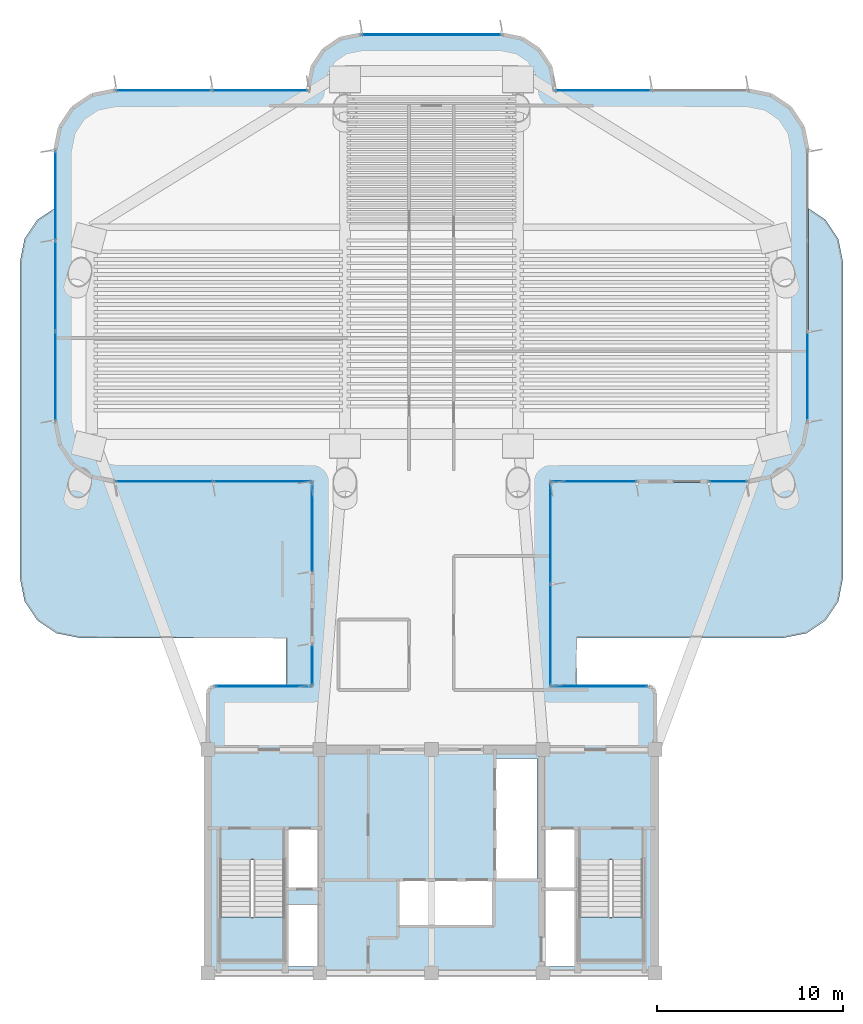
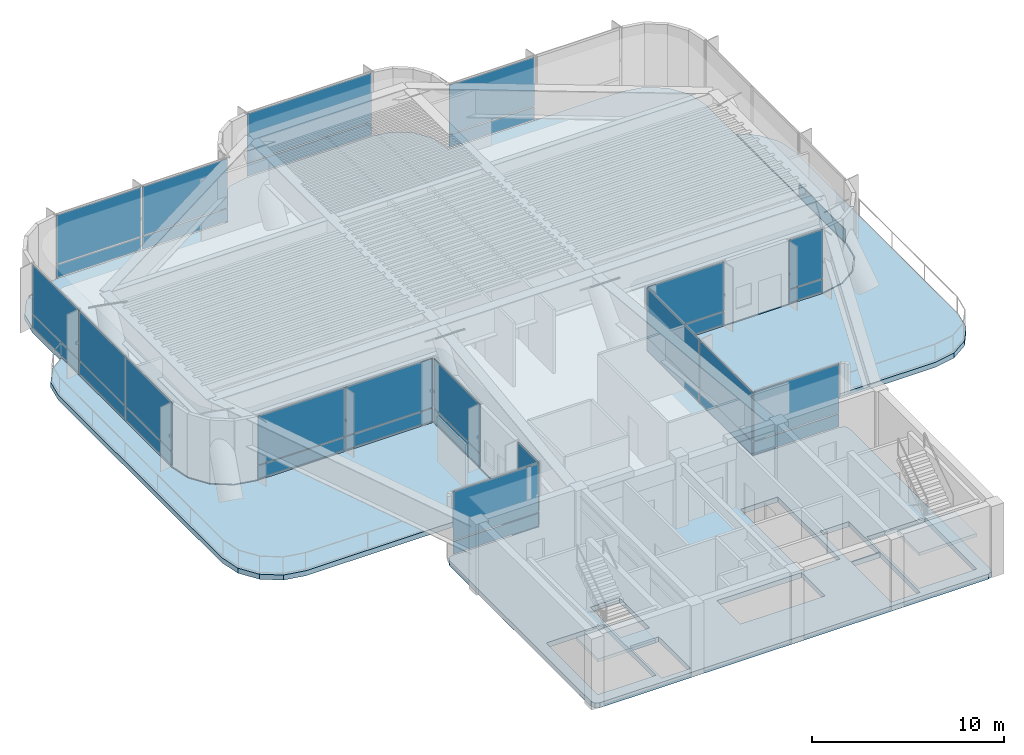
# One storey, part 7 of 13: 35 plates, 5 slabs, 15 elements without a shape of their own.
"""IFC4 building model written with IfcOpenShell, lengths in metres."""

from ifc_helpers import new_model, si_unit, direction, frame, origin, origin_2d, place, context, subcontext, project, spatial, polyline, rectangle, outline, extrude, source, transform, mapped, material, layer, layer_set, type_object, element, aggregate, save


model = new_model("IFC4")

# Units and contexts
model_context = context("Model", 3, precision=1e-05, world=origin(), true_north=direction((0.0, 1.0)))
body_context = subcontext(model_context, "Body", "Model", "MODEL_VIEW")
ifc_project = project(units=[si_unit("LENGTHUNIT", "METRE"), si_unit("AREAUNIT", "SQUARE_METRE"), si_unit("VOLUMEUNIT", "CUBIC_METRE"), si_unit("PLANEANGLEUNIT", "RADIAN"), si_unit("MASSUNIT", "GRAM", prefix="KILO")], contexts=[model_context])

# Site, building, storey
site_placement = place(None, origin())
site = spatial("IfcSite", under=ifc_project, at=site_placement, CompositionType="ELEMENT")
building_placement = place(site_placement, origin())
building = spatial("IfcBuilding", under=site, at=building_placement, Name="Brelvock Crest Care Tower", CompositionType="ELEMENT")
storey_placement = place(building_placement, frame((0.0, 0.0, 151.919921875)))
storey = spatial("IfcBuildingStorey", under=building, at=storey_placement, Name="L38", CompositionType="ELEMENT", Elevation=151.919921875)

# Slabs
ifc_material_1 = material(Name="Concrete N50 (50 MPa)", Category="concrete")
ifc_layer_1 = layer(ifc_material_1, 0.320068359375, Name="SLB-FL1")
ifc_layer_set_1 = layer_set([ifc_layer_1], Name="Concrete N50 (50 MPa)")
slab_type_1 = type_object("IfcSlabType", Name="SLB-FL1", PredefinedType="FLOOR", material=ifc_layer_set_1)
slab_1_placement = place(storey_placement, frame((0.0, 0.0, -0.31982421875)))
element("IfcSlab", 1, at=slab_1_placement, inside=storey, type_object=slab_type_1, Name="L38 Main Structural Slab", PredefinedType="FLOOR", context=body_context, shape_type="SweptSolid", body=[
    extrude(outline(polyline([(47.64990234375, 21.39990234375), (42.39990234375, 21.39990234375), (42.39990234375, 32.39990234375), (53.0, 32.39990234375), (54.224609375, 32.6435546875), (55.2626953125, 33.33740234375), (55.956298828125, 34.37548828125), (56.199951171875, 35.60009765625), (56.199951171875, 50.199951171875), (55.956298828125, 51.424560546875), (55.2626953125, 52.462646484375), (54.224609375, 53.156494140625), (53.0, 53.39990234375), (42.60009765625, 53.39990234375), (42.60009765625, 53.60009765625), (42.386962890625, 54.67138671875), (41.77978515625, 55.579833984375), (40.87158203125, 56.18701171875), (39.800048828125, 56.39990234375), (32.199951171875, 56.39990234375), (31.12841796875, 56.18701171875), (30.22021484375, 55.579833984375), (29.613037109375, 54.67138671875), (29.39990234375, 53.60009765625), (29.39990234375, 53.39990234375), (19.0, 53.39990234375), (17.775390625, 53.156494140625), (16.7373046875, 52.462646484375), (16.043701171875, 51.424560546875), (15.800048828125, 50.199951171875), (15.800048828125, 35.60009765625), (16.043701171875, 34.37548828125), (16.7373046875, 33.33740234375), (17.775390625, 32.6435546875), (19.0, 32.39990234375), (29.60009765625, 32.39990234375), (29.60009765625, 21.39990234375), (24.35009765625, 21.39990234375), (24.1025390625, 21.297607421875), (24.0, 21.050048828125), (24.0, 6.35009765625), (24.1025390625, 6.1025390625), (24.35009765625, 6.0), (47.64990234375, 6.0), (47.8974609375, 6.1025390625), (48.0, 6.35009765625), (48.0, 21.050048828125), (47.8974609375, 21.297607421875), (47.64990234375, 21.39990234375)]), holes=[polyline([(28.239990234375, 10.580078125), (29.97998046875, 10.580078125), (29.97998046875, 13.739990234375), (28.239990234375, 13.739990234375), (28.239990234375, 10.580078125)]), polyline([(42.02001953125, 10.580078125), (43.760009765625, 10.580078125), (43.760009765625, 13.739990234375), (42.02001953125, 13.739990234375), (42.02001953125, 10.580078125)]), polyline([(28.239990234375, 6.340087890625), (29.97998046875, 6.340087890625), (29.97998046875, 9.64990234375), (28.239990234375, 9.64990234375), (28.239990234375, 6.340087890625)]), polyline([(24.6298828125, 12.080078125), (24.6298828125, 6.699951171875), (28.110107421875, 6.699951171875), (28.110107421875, 12.080078125), (24.6298828125, 12.080078125)]), polyline([(43.889892578125, 12.080078125), (43.889892578125, 6.699951171875), (47.3701171875, 6.699951171875), (47.3701171875, 12.080078125), (43.889892578125, 12.080078125)]), polyline([(42.02001953125, 6.340087890625), (43.760009765625, 6.340087890625), (43.760009765625, 10.5), (42.02001953125, 10.5), (42.02001953125, 6.340087890625)]), polyline([(34.22998046875, 8.530029296875), (39.320068359375, 8.530029296875), (39.320068359375, 10.969970703125), (34.22998046875, 10.969970703125), (34.22998046875, 8.530029296875)]), polyline([(39.429931640625, 11.030029296875), (41.669921875, 11.030029296875), (41.669921875, 17.52001953125), (39.429931640625, 17.52001953125), (39.429931640625, 11.030029296875)])]), origin(), (0.0, 0.0, 1.0), 0.31982421875),
])
ifc_layer_2 = layer(ifc_material_1, 0.320068359375, Name="SLB-TD2")
ifc_layer_set_2 = layer_set([ifc_layer_2], Name="Concrete N50 (50 MPa)")
slab_type_2 = type_object("IfcSlabType", Name="SLB-TD2", PredefinedType="FLOOR", material=ifc_layer_set_2)
slab_2_placement = place(storey_placement, frame((0.0, 0.0, -0.31982421875)))
element("IfcSlab", 2, at=slab_2_placement, inside=storey, type_object=slab_type_2, Name="L38 Landscaped Setback Terrace 1", PredefinedType="FLOOR", context=body_context, shape_type="SweptSolid", body=[
    extrude(outline(polyline([(56.260009765625, 47.06591796875), (56.259765625, 35.593994140625), (56.01171875, 34.352294921875), (55.30517578125, 33.294921875), (54.24755859375, 32.588134765625), (53.005859375, 32.34033203125), (42.4599609375, 32.340087890625), (42.4599609375, 21.4599609375), (43.800048828125, 21.4599609375), (43.800048828125, 24.0), (54.89990234375, 24.0), (56.12451171875, 24.24365234375), (57.16259765625, 24.937255859375), (57.8564453125, 25.975341796875), (58.10009765625, 27.199951171875), (58.10009765625, 44.199951171875), (57.8564453125, 45.424560546875), (57.16259765625, 46.462646484375), (56.260009765625, 47.06591796875)])), origin(), (0.0, 0.0, 1.0), 0.31982421875),
])
slab_3_placement = place(storey_placement, frame((0.0, 0.0, -0.31982421875)))
element("IfcSlab", 3, at=slab_3_placement, inside=storey, type_object=slab_type_2, Name="L38 Landscaped Setback Terrace 2", PredefinedType="FLOOR", context=body_context, shape_type="SweptSolid", body=[
    extrude(outline(polyline([(28.199951171875, 21.4599609375), (29.5400390625, 21.4599609375), (29.5400390625, 32.340087890625), (18.994140625, 32.34033203125), (17.7421875, 32.59375), (16.69482421875, 33.294921875), (15.99072265625, 34.34716796875), (15.739990234375, 35.60009765625), (15.739990234375, 47.06591796875), (14.83740234375, 46.462646484375), (14.1435546875, 45.424560546875), (13.89990234375, 44.199951171875), (13.89990234375, 27.199951171875), (14.1435546875, 25.975341796875), (14.83740234375, 24.937255859375), (15.87548828125, 24.24365234375), (17.10009765625, 24.0), (28.199951171875, 24.0), (28.199951171875, 21.4599609375)])), origin(), (0.0, 0.0, 1.0), 0.31982421875),
])

# Stair, slab
ifc_material_2 = material(Name="Concrete N40 (40 MPa)", Category="concrete")
stair_type = type_object("IfcStairType", Name="ST-CORE1", PredefinedType="HALF_TURN_STAIR", material=ifc_material_2)
stair_1_placement = place(storey_placement, origin())
stair_1 = element("IfcStair", 4, at=stair_1_placement, inside=storey, type_object=stair_type, Name="L38 Fire-Isolated Core Stair ST-1", PredefinedType="HALF_TURN_STAIR")
ifc_layer_3 = layer(ifc_material_2, 0.199951171875, Name="STL-1")
ifc_layer_set_3 = layer_set([ifc_layer_3], Name="Concrete N40 (40 MPa)")
slab_type_3 = type_object("IfcSlabType", Name="STL-1", PredefinedType="LANDING", material=ifc_layer_set_3)
slab_4_placement = place(storey_placement, frame((0.0, 0.0, 2.050048828125)))
slab_4 = element("IfcSlab", 5, at=slab_4_placement, type_object=slab_type_3, Name="ST-1 landing 1", PredefinedType="LANDING", context=body_context, shape_type="SweptSolid", body=[
    extrude(outline(polyline([(24.6298828125, 9.0), (24.6298828125, 6.699951171875), (28.110107421875, 6.699951171875), (28.110107421875, 9.0), (24.6298828125, 9.0)])), origin(), (0.0, 0.0, 1.0), 0.199951171875),
])
aggregate(stair_1, [slab_4])

stair_2_placement = place(storey_placement, origin())
stair_2 = element("IfcStair", 6, at=stair_2_placement, inside=storey, type_object=stair_type, Name="L38 Fire-Isolated Core Stair ST-2", PredefinedType="HALF_TURN_STAIR")
slab_5_placement = place(storey_placement, frame((0.0, 0.0, 2.050048828125)))
slab_5 = element("IfcSlab", 7, at=slab_5_placement, type_object=slab_type_3, Name="ST-2 landing 1", PredefinedType="LANDING", context=body_context, shape_type="SweptSolid", body=[
    extrude(outline(polyline([(43.889892578125, 9.0), (43.889892578125, 6.699951171875), (47.3701171875, 6.699951171875), (47.3701171875, 9.0), (43.889892578125, 9.0)])), origin(), (0.0, 0.0, 1.0), 0.199951171875),
])
aggregate(stair_2, [slab_5])

# Curtain wall, plates
ifc_material_3 = material(Name="Dark Glass Double Glazed Low-E", Category="glass")
ifc_layer_4 = layer(ifc_material_3, 0.2548828125, Name="CWS-6")
ifc_layer_set_4 = layer_set([ifc_layer_4], Name="Dark Glass Double Glazed Low-E")
curtain_wall_type = type_object("IfcCurtainWallType", Name="CWS-6", PredefinedType="NOTDEFINED", material=ifc_layer_set_4)
curtain_wall_1_placement = place(storey_placement, origin())
curtain_wall_1 = element("IfcCurtainWall", 8, at=curtain_wall_1_placement, inside=storey, type_object=curtain_wall_type, Name="L38 Curtain Wall E28", PredefinedType="NOTDEFINED")
ifc_material_4 = material(Name="Dark Glass Shadow-Box Spandrel", Category="glass")
ifc_layer_5 = layer(ifc_material_4, 0.048095703125, Name="CWP-SP1")
ifc_layer_set_5 = layer_set([ifc_layer_5], Name="Dark Glass Shadow-Box Spandrel")
plate_type_1 = type_object("IfcPlateType", Name="CWP-SP1", PredefinedType="SHEET", material=ifc_layer_set_5)
shared_shape_1 = source(origin(), body_context, "Body", "SweptSolid", [
    extrude(rectangle(XDim=7.469970703125, YDim=0.035888671875, at=origin_2d()), origin(), (0.0, 0.0, 1.0), 0.802490234375),
])
plate_1_placement = place(storey_placement, frame((36.0, 56.39990234375, 0.06494140625), z_axis=(0.0, 0.0, 1.0), x_axis=(1.0, 0.0, 0.0)))
plate_1 = element("IfcPlate", 9, at=plate_1_placement, type_object=plate_type_1, Name="CW-6 panel 1.1", PredefinedType="SHEET", context=body_context, shape_type="MappedRepresentation", body=[
    mapped(shared_shape_1, transform((0.0, 0.0, 0.0), x_axis=(1.0, 0.0, 0.0), y_axis=(0.0, 1.0, 0.0), z_axis=(0.0, 0.0, 1.0), scale=1.0)),
])
ifc_layer_6 = layer(ifc_material_3, 0.0380859375, Name="CWP-V2")
ifc_layer_set_6 = layer_set([ifc_layer_6], Name="Dark Glass Double Glazed Low-E")
plate_type_2 = type_object("IfcPlateType", Name="CWP-V2", PredefinedType="CURTAIN_PANEL", material=ifc_layer_set_6)
shared_shape_2 = source(origin(), body_context, "Body", "SweptSolid", [
    extrude(rectangle(XDim=7.469970703125, YDim=0.035888671875, at=origin_2d()), origin(), (0.0, 0.0, 1.0), 3.094482421875),
])
plate_2_placement = place(storey_placement, frame((36.0, 56.39990234375, 0.9326171875), z_axis=(0.0, 0.0, 1.0), x_axis=(1.0, 0.0, 0.0)))
plate_2 = element("IfcPlate", 10, at=plate_2_placement, type_object=plate_type_2, Name="CW-6 panel 1.2", PredefinedType="CURTAIN_PANEL", context=body_context, shape_type="MappedRepresentation", body=[
    mapped(shared_shape_2, transform((0.0, 0.0, 0.0), x_axis=(1.0, 0.0, 0.0), y_axis=(0.0, 1.0, 0.0), z_axis=(0.0, 0.0, 1.0), scale=1.0)),
])
aggregate(curtain_wall_1, [plate_1, plate_2])

# Curtain wall, plate
curtain_wall_2_placement = place(storey_placement, origin())
curtain_wall_2 = element("IfcCurtainWall", 11, at=curtain_wall_2_placement, inside=storey, type_object=curtain_wall_type, Name="L38 Curtain Wall E10", PredefinedType="NOTDEFINED")
shared_shape_3 = source(origin(), body_context, "Body", "SweptSolid", [
    extrude(rectangle(XDim=5.1201171875, YDim=0.035888671875, at=origin_2d()), origin(), (0.0, 0.0, 1.0), 0.802490234375),
])
plate_3_placement = place(storey_placement, frame((26.97509765625, 21.39990234375, 0.06494140625), z_axis=(0.0, 0.0, 1.0), x_axis=(1.0, 0.0, 0.0)))
plate_3 = element("IfcPlate", 12, at=plate_3_placement, type_object=plate_type_1, Name="CW-6 panel 1.1", PredefinedType="SHEET", context=body_context, shape_type="MappedRepresentation", body=[
    mapped(shared_shape_3, transform((0.0, 0.0, 0.0), x_axis=(1.0, 0.0, 0.0), y_axis=(0.0, 1.0, 0.0), z_axis=(0.0, 0.0, 1.0), scale=1.0)),
])

curtain_wall_3_placement = place(storey_placement, origin())
curtain_wall_3 = element("IfcCurtainWall", 13, at=curtain_wall_3_placement, inside=storey, type_object=curtain_wall_type, Name="L38 Curtain Wall E46", PredefinedType="NOTDEFINED")
plate_4_placement = place(storey_placement, frame((45.02490234375, 21.39990234375, 0.06494140625), z_axis=(0.0, 0.0, 1.0), x_axis=(1.0, 0.0, 0.0)))
plate_4 = element("IfcPlate", 14, at=plate_4_placement, type_object=plate_type_1, Name="CW-6 panel 1.1", PredefinedType="SHEET", context=body_context, shape_type="MappedRepresentation", body=[
    mapped(shared_shape_3, transform((0.0, 0.0, 0.0), x_axis=(1.0, 0.0, 0.0), y_axis=(0.0, 1.0, 0.0), z_axis=(0.0, 0.0, 1.0), scale=1.0)),
])

# Plate
shared_shape_4 = source(origin(), body_context, "Body", "SweptSolid", [
    extrude(rectangle(XDim=5.1201171875, YDim=0.035888671875, at=origin_2d()), origin(), (0.0, 0.0, 1.0), 3.094482421875),
])
plate_5_placement = place(storey_placement, frame((26.97509765625, 21.39990234375, 0.9326171875), z_axis=(0.0, 0.0, 1.0), x_axis=(1.0, 0.0, 0.0)))
plate_5 = element("IfcPlate", 15, at=plate_5_placement, type_object=plate_type_2, Name="CW-6 panel 1.2", PredefinedType="CURTAIN_PANEL", context=body_context, shape_type="MappedRepresentation", body=[
    mapped(shared_shape_4, transform((0.0, 0.0, 0.0), x_axis=(1.0, 0.0, 0.0), y_axis=(0.0, 1.0, 0.0), z_axis=(0.0, 0.0, 1.0), scale=1.0)),
])

aggregate(curtain_wall_2, [plate_3, plate_5])

plate_6_placement = place(storey_placement, frame((45.02490234375, 21.39990234375, 0.9326171875), z_axis=(0.0, 0.0, 1.0), x_axis=(1.0, 0.0, 0.0)))
plate_6 = element("IfcPlate", 16, at=plate_6_placement, type_object=plate_type_2, Name="CW-6 panel 1.2", PredefinedType="CURTAIN_PANEL", context=body_context, shape_type="MappedRepresentation", body=[
    mapped(shared_shape_4, transform((0.0, 0.0, 0.0), x_axis=(1.0, 0.0, 0.0), y_axis=(0.0, 1.0, 0.0), z_axis=(0.0, 0.0, 1.0), scale=1.0)),
])

aggregate(curtain_wall_3, [plate_4, plate_6])

# Curtain wall, plates
curtain_wall_4_placement = place(storey_placement, origin())
curtain_wall_4 = element("IfcCurtainWall", 17, at=curtain_wall_4_placement, inside=storey, type_object=curtain_wall_type, Name="L38 Curtain Wall E11A", PredefinedType="NOTDEFINED")
shared_shape_5 = source(origin(), body_context, "Body", "SweptSolid", [
    extrude(rectangle(XDim=2.14990234375, YDim=0.035888671875, at=origin_2d()), origin(), (0.0, 0.0, 1.0), 0.802490234375),
])
plate_7_placement = place(storey_placement, frame((29.60009765625, 22.5400390625, 0.06494140625), z_axis=(0.0, 0.0, 1.0), x_axis=(0.0, 1.0, 0.0)))
plate_7 = element("IfcPlate", 18, at=plate_7_placement, type_object=plate_type_1, Name="CW-6 panel 1.1", PredefinedType="SHEET", context=body_context, shape_type="MappedRepresentation", body=[
    mapped(shared_shape_5, transform((0.0, 0.0, 0.0), x_axis=(1.0, 0.0, 0.0), y_axis=(0.0, 1.0, 0.0), z_axis=(0.0, 0.0, 1.0), scale=1.0)),
])
shared_shape_6 = source(origin(), body_context, "Body", "SweptSolid", [
    extrude(rectangle(XDim=2.14990234375, YDim=0.035888671875, at=origin_2d()), origin(), (0.0, 0.0, 1.0), 3.094482421875),
])
plate_8_placement = place(storey_placement, frame((29.60009765625, 22.5400390625, 0.9326171875), z_axis=(0.0, 0.0, 1.0), x_axis=(0.0, 1.0, 0.0)))
plate_8 = element("IfcPlate", 19, at=plate_8_placement, type_object=plate_type_2, Name="CW-6 panel 1.2", PredefinedType="CURTAIN_PANEL", context=body_context, shape_type="MappedRepresentation", body=[
    mapped(shared_shape_6, transform((0.0, 0.0, 0.0), x_axis=(1.0, 0.0, 0.0), y_axis=(0.0, 1.0, 0.0), z_axis=(0.0, 0.0, 1.0), scale=1.0)),
])
aggregate(curtain_wall_4, [plate_7, plate_8])

curtain_wall_5_placement = place(storey_placement, origin())
curtain_wall_5 = element("IfcCurtainWall", 20, at=curtain_wall_5_placement, inside=storey, type_object=curtain_wall_type, Name="L38 Curtain Wall E11B", PredefinedType="NOTDEFINED")
shared_shape_7 = source(origin(), body_context, "Body", "SweptSolid", [
    extrude(rectangle(XDim=4.7900390625, YDim=0.035888671875, at=origin_2d()), origin(), (0.0, 0.0, 1.0), 0.802490234375),
])
plate_9_placement = place(storey_placement, frame((29.60009765625, 29.93994140625, 0.06494140625), z_axis=(0.0, 0.0, 1.0), x_axis=(0.0, 1.0, 0.0)))
plate_9 = element("IfcPlate", 21, at=plate_9_placement, type_object=plate_type_1, Name="CW-6 panel 1.1", PredefinedType="SHEET", context=body_context, shape_type="MappedRepresentation", body=[
    mapped(shared_shape_7, transform((0.0, 0.0, 0.0), x_axis=(1.0, 0.0, 0.0), y_axis=(0.0, 1.0, 0.0), z_axis=(0.0, 0.0, 1.0), scale=1.0)),
])
shared_shape_8 = source(origin(), body_context, "Body", "SweptSolid", [
    extrude(rectangle(XDim=4.7900390625, YDim=0.035888671875, at=origin_2d()), origin(), (0.0, 0.0, 1.0), 3.094482421875),
])
plate_10_placement = place(storey_placement, frame((29.60009765625, 29.93994140625, 0.9326171875), z_axis=(0.0, 0.0, 1.0), x_axis=(0.0, 1.0, 0.0)))
plate_10 = element("IfcPlate", 22, at=plate_10_placement, type_object=plate_type_2, Name="CW-6 panel 1.2", PredefinedType="CURTAIN_PANEL", context=body_context, shape_type="MappedRepresentation", body=[
    mapped(shared_shape_8, transform((0.0, 0.0, 0.0), x_axis=(1.0, 0.0, 0.0), y_axis=(0.0, 1.0, 0.0), z_axis=(0.0, 0.0, 1.0), scale=1.0)),
])
aggregate(curtain_wall_5, [plate_9, plate_10])

curtain_wall_6_placement = place(storey_placement, origin())
curtain_wall_6 = element("IfcCurtainWall", 23, at=curtain_wall_6_placement, inside=storey, type_object=curtain_wall_type, Name="L38 Curtain Wall E12", PredefinedType="NOTDEFINED")
shared_shape_9 = source(origin(), body_context, "Body", "SweptSolid", [
    extrude(rectangle(XDim=5.202392578125, YDim=0.035888671875, at=origin_2d()), origin(), (0.0, 0.0, 1.0), 0.802490234375),
])
plate_11_placement = place(storey_placement, frame((26.933837890625, 32.39990234375, 0.06494140625), z_axis=(0.0, 0.0, 1.0), x_axis=(-1.0, 0.0, 0.0)))
plate_11 = element("IfcPlate", 24, at=plate_11_placement, type_object=plate_type_1, Name="CW-6 panel 1.1", PredefinedType="SHEET", context=body_context, shape_type="MappedRepresentation", body=[
    mapped(shared_shape_9, transform((0.0, 0.0, 0.0), x_axis=(1.0, 0.0, 0.0), y_axis=(0.0, 1.0, 0.0), z_axis=(0.0, 0.0, 1.0), scale=1.0)),
])
plate_12_placement = place(storey_placement, frame((21.666259765625, 32.39990234375, 0.06494140625), z_axis=(0.0, 0.0, 1.0), x_axis=(-1.0, 0.0, 0.0)))
plate_12 = element("IfcPlate", 25, at=plate_12_placement, type_object=plate_type_1, Name="CW-6 panel 2.1", PredefinedType="SHEET", context=body_context, shape_type="MappedRepresentation", body=[
    mapped(shared_shape_9, transform((0.0, 0.0, 0.0), x_axis=(1.0, 0.0, 0.0), y_axis=(0.0, 1.0, 0.0), z_axis=(0.0, 0.0, 1.0), scale=1.0)),
])
shared_shape_10 = source(origin(), body_context, "Body", "SweptSolid", [
    extrude(rectangle(XDim=5.202392578125, YDim=0.035888671875, at=origin_2d()), origin(), (0.0, 0.0, 1.0), 3.094482421875),
])
plate_13_placement = place(storey_placement, frame((26.933837890625, 32.39990234375, 0.9326171875), z_axis=(0.0, 0.0, 1.0), x_axis=(-1.0, 0.0, 0.0)))
plate_13 = element("IfcPlate", 26, at=plate_13_placement, type_object=plate_type_2, Name="CW-6 panel 1.2", PredefinedType="CURTAIN_PANEL", context=body_context, shape_type="MappedRepresentation", body=[
    mapped(shared_shape_10, transform((0.0, 0.0, 0.0), x_axis=(1.0, 0.0, 0.0), y_axis=(0.0, 1.0, 0.0), z_axis=(0.0, 0.0, 1.0), scale=1.0)),
])
plate_14_placement = place(storey_placement, frame((21.666259765625, 32.39990234375, 0.9326171875), z_axis=(0.0, 0.0, 1.0), x_axis=(-1.0, 0.0, 0.0)))
plate_14 = element("IfcPlate", 27, at=plate_14_placement, type_object=plate_type_2, Name="CW-6 panel 2.2", PredefinedType="CURTAIN_PANEL", context=body_context, shape_type="MappedRepresentation", body=[
    mapped(shared_shape_10, transform((0.0, 0.0, 0.0), x_axis=(1.0, 0.0, 0.0), y_axis=(0.0, 1.0, 0.0), z_axis=(0.0, 0.0, 1.0), scale=1.0)),
])
aggregate(curtain_wall_6, [plate_11, plate_13, plate_12, plate_14])

curtain_wall_7_placement = place(storey_placement, origin())
curtain_wall_7 = element("IfcCurtainWall", 28, at=curtain_wall_7_placement, inside=storey, type_object=curtain_wall_type, Name="L38 Curtain Wall E17", PredefinedType="NOTDEFINED")
shared_shape_11 = source(origin(), body_context, "Body", "SweptSolid", [
    extrude(rectangle(XDim=4.769287109375, YDim=0.035888671875, at=origin_2d()), origin(), (0.0, 0.0, 1.0), 0.802490234375),
])
plate_15_placement = place(storey_placement, frame((15.800048828125, 38.049560546875, 0.06494140625), z_axis=(0.0, 0.0, 1.0), x_axis=(0.0, 1.0, 0.0)))
plate_15 = element("IfcPlate", 29, at=plate_15_placement, type_object=plate_type_1, Name="CW-6 panel 1.1", PredefinedType="SHEET", context=body_context, shape_type="MappedRepresentation", body=[
    mapped(shared_shape_11, transform((0.0, 0.0, 0.0), x_axis=(1.0, 0.0, 0.0), y_axis=(0.0, 1.0, 0.0), z_axis=(0.0, 0.0, 1.0), scale=1.0)),
])
plate_16_placement = place(storey_placement, frame((15.800048828125, 47.75048828125, 0.06494140625), z_axis=(0.0, 0.0, 1.0), x_axis=(0.0, 1.0, 0.0)))
plate_16 = element("IfcPlate", 30, at=plate_16_placement, type_object=plate_type_1, Name="CW-6 panel 3.1", PredefinedType="SHEET", context=body_context, shape_type="MappedRepresentation", body=[
    mapped(shared_shape_11, transform((0.0, 0.0, 0.0), x_axis=(1.0, 0.0, 0.0), y_axis=(0.0, 1.0, 0.0), z_axis=(0.0, 0.0, 1.0), scale=1.0)),
])

# Curtain wall, plate
curtain_wall_8_placement = place(storey_placement, origin())
curtain_wall_8 = element("IfcCurtainWall", 31, at=curtain_wall_8_placement, inside=storey, type_object=curtain_wall_type, Name="L38 Curtain Wall E39", PredefinedType="NOTDEFINED")
plate_17_placement = place(storey_placement, frame((56.199951171875, 38.049560546875, 0.06494140625), z_axis=(0.0, 0.0, 1.0), x_axis=(0.0, -1.0, 0.0)))
plate_17 = element("IfcPlate", 32, at=plate_17_placement, type_object=plate_type_1, Name="CW-6 panel 3.1", PredefinedType="SHEET", context=body_context, shape_type="MappedRepresentation", body=[
    mapped(shared_shape_11, transform((0.0, 0.0, 0.0), x_axis=(1.0, 0.0, 0.0), y_axis=(0.0, 1.0, 0.0), z_axis=(0.0, 0.0, 1.0), scale=1.0)),
])
aggregate(curtain_wall_8, [plate_17])

# Plate
shared_shape_12 = source(origin(), body_context, "Body", "SweptSolid", [
    extrude(rectangle(XDim=4.769287109375, YDim=0.035888671875, at=origin_2d()), origin(), (0.0, 0.0, 1.0), 3.094482421875),
])
plate_18_placement = place(storey_placement, frame((15.800048828125, 38.049560546875, 0.9326171875), z_axis=(0.0, 0.0, 1.0), x_axis=(0.0, 1.0, 0.0)))
plate_18 = element("IfcPlate", 33, at=plate_18_placement, type_object=plate_type_2, Name="CW-6 panel 1.2", PredefinedType="CURTAIN_PANEL", context=body_context, shape_type="MappedRepresentation", body=[
    mapped(shared_shape_12, transform((0.0, 0.0, 0.0), x_axis=(1.0, 0.0, 0.0), y_axis=(0.0, 1.0, 0.0), z_axis=(0.0, 0.0, 1.0), scale=1.0)),
])

plate_19_placement = place(storey_placement, frame((15.800048828125, 47.75048828125, 0.9326171875), z_axis=(0.0, 0.0, 1.0), x_axis=(0.0, 1.0, 0.0)))
plate_19 = element("IfcPlate", 34, at=plate_19_placement, type_object=plate_type_2, Name="CW-6 panel 3.2", PredefinedType="CURTAIN_PANEL", context=body_context, shape_type="MappedRepresentation", body=[
    mapped(shared_shape_12, transform((0.0, 0.0, 0.0), x_axis=(1.0, 0.0, 0.0), y_axis=(0.0, 1.0, 0.0), z_axis=(0.0, 0.0, 1.0), scale=1.0)),
])

shared_shape_13 = source(origin(), body_context, "Body", "SweptSolid", [
    extrude(rectangle(XDim=4.8017578125, YDim=0.035888671875, at=origin_2d()), origin(), (0.0, 0.0, 1.0), 0.802490234375),
])
plate_20_placement = place(storey_placement, frame((15.800048828125, 42.89990234375, 0.06494140625), z_axis=(0.0, 0.0, 1.0), x_axis=(0.0, 1.0, 0.0)))
plate_20 = element("IfcPlate", 35, at=plate_20_placement, type_object=plate_type_1, Name="CW-6 panel 2.1", PredefinedType="SHEET", context=body_context, shape_type="MappedRepresentation", body=[
    mapped(shared_shape_13, transform((0.0, 0.0, 0.0), x_axis=(1.0, 0.0, 0.0), y_axis=(0.0, 1.0, 0.0), z_axis=(0.0, 0.0, 1.0), scale=1.0)),
])

shared_shape_14 = source(origin(), body_context, "Body", "SweptSolid", [
    extrude(rectangle(XDim=4.8017578125, YDim=0.035888671875, at=origin_2d()), origin(), (0.0, 0.0, 1.0), 3.094482421875),
])
plate_21_placement = place(storey_placement, frame((15.800048828125, 42.89990234375, 0.9326171875), z_axis=(0.0, 0.0, 1.0), x_axis=(0.0, 1.0, 0.0)))
plate_21 = element("IfcPlate", 36, at=plate_21_placement, type_object=plate_type_2, Name="CW-6 panel 2.2", PredefinedType="CURTAIN_PANEL", context=body_context, shape_type="MappedRepresentation", body=[
    mapped(shared_shape_14, transform((0.0, 0.0, 0.0), x_axis=(1.0, 0.0, 0.0), y_axis=(0.0, 1.0, 0.0), z_axis=(0.0, 0.0, 1.0), scale=1.0)),
])

aggregate(curtain_wall_7, [plate_15, plate_18, plate_20, plate_21, plate_16, plate_19])

# Curtain wall, plates
curtain_wall_9_placement = place(storey_placement, origin())
curtain_wall_9 = element("IfcCurtainWall", 37, at=curtain_wall_9_placement, inside=storey, type_object=curtain_wall_type, Name="L38 Curtain Wall E22", PredefinedType="NOTDEFINED")
shared_shape_15 = source(origin(), body_context, "Body", "SweptSolid", [
    extrude(rectangle(XDim=5.1025390625, YDim=0.035888671875, at=origin_2d()), origin(), (0.0, 0.0, 1.0), 0.802490234375),
])
plate_22_placement = place(storey_placement, frame((21.6162109375, 53.39990234375, 0.06494140625), z_axis=(0.0, 0.0, 1.0), x_axis=(1.0, 0.0, 0.0)))
plate_22 = element("IfcPlate", 38, at=plate_22_placement, type_object=plate_type_1, Name="CW-6 panel 1.1", PredefinedType="SHEET", context=body_context, shape_type="MappedRepresentation", body=[
    mapped(shared_shape_15, transform((0.0, 0.0, 0.0), x_axis=(1.0, 0.0, 0.0), y_axis=(0.0, 1.0, 0.0), z_axis=(0.0, 0.0, 1.0), scale=1.0)),
])
plate_23_placement = place(storey_placement, frame((26.78369140625, 53.39990234375, 0.06494140625), z_axis=(0.0, 0.0, 1.0), x_axis=(1.0, 0.0, 0.0)))
plate_23 = element("IfcPlate", 39, at=plate_23_placement, type_object=plate_type_1, Name="CW-6 panel 2.1", PredefinedType="SHEET", context=body_context, shape_type="MappedRepresentation", body=[
    mapped(shared_shape_15, transform((0.0, 0.0, 0.0), x_axis=(1.0, 0.0, 0.0), y_axis=(0.0, 1.0, 0.0), z_axis=(0.0, 0.0, 1.0), scale=1.0)),
])

# Curtain wall, plate
curtain_wall_10_placement = place(storey_placement, origin())
curtain_wall_10 = element("IfcCurtainWall", 40, at=curtain_wall_10_placement, inside=storey, type_object=curtain_wall_type, Name="L38 Curtain Wall E34", PredefinedType="NOTDEFINED")
plate_24_placement = place(storey_placement, frame((45.21630859375, 53.39990234375, 0.06494140625), z_axis=(0.0, 0.0, 1.0), x_axis=(1.0, 0.0, 0.0)))
plate_24 = element("IfcPlate", 41, at=plate_24_placement, type_object=plate_type_1, Name="CW-6 panel 1.1", PredefinedType="SHEET", context=body_context, shape_type="MappedRepresentation", body=[
    mapped(shared_shape_15, transform((0.0, 0.0, 0.0), x_axis=(1.0, 0.0, 0.0), y_axis=(0.0, 1.0, 0.0), z_axis=(0.0, 0.0, 1.0), scale=1.0)),
])

# Plate
shared_shape_16 = source(origin(), body_context, "Body", "SweptSolid", [
    extrude(rectangle(XDim=5.1025390625, YDim=0.035888671875, at=origin_2d()), origin(), (0.0, 0.0, 1.0), 3.094482421875),
])
plate_25_placement = place(storey_placement, frame((21.6162109375, 53.39990234375, 0.9326171875), z_axis=(0.0, 0.0, 1.0), x_axis=(1.0, 0.0, 0.0)))
plate_25 = element("IfcPlate", 42, at=plate_25_placement, type_object=plate_type_2, Name="CW-6 panel 1.2", PredefinedType="CURTAIN_PANEL", context=body_context, shape_type="MappedRepresentation", body=[
    mapped(shared_shape_16, transform((0.0, 0.0, 0.0), x_axis=(1.0, 0.0, 0.0), y_axis=(0.0, 1.0, 0.0), z_axis=(0.0, 0.0, 1.0), scale=1.0)),
])

plate_26_placement = place(storey_placement, frame((26.78369140625, 53.39990234375, 0.9326171875), z_axis=(0.0, 0.0, 1.0), x_axis=(1.0, 0.0, 0.0)))
plate_26 = element("IfcPlate", 43, at=plate_26_placement, type_object=plate_type_2, Name="CW-6 panel 2.2", PredefinedType="CURTAIN_PANEL", context=body_context, shape_type="MappedRepresentation", body=[
    mapped(shared_shape_16, transform((0.0, 0.0, 0.0), x_axis=(1.0, 0.0, 0.0), y_axis=(0.0, 1.0, 0.0), z_axis=(0.0, 0.0, 1.0), scale=1.0)),
])

aggregate(curtain_wall_9, [plate_22, plate_25, plate_23, plate_26])

plate_27_placement = place(storey_placement, frame((45.21630859375, 53.39990234375, 0.9326171875), z_axis=(0.0, 0.0, 1.0), x_axis=(1.0, 0.0, 0.0)))
plate_27 = element("IfcPlate", 44, at=plate_27_placement, type_object=plate_type_2, Name="CW-6 panel 1.2", PredefinedType="CURTAIN_PANEL", context=body_context, shape_type="MappedRepresentation", body=[
    mapped(shared_shape_16, transform((0.0, 0.0, 0.0), x_axis=(1.0, 0.0, 0.0), y_axis=(0.0, 1.0, 0.0), z_axis=(0.0, 0.0, 1.0), scale=1.0)),
])

aggregate(curtain_wall_10, [plate_24, plate_27])

# Curtain wall, plates
curtain_wall_11_placement = place(storey_placement, origin())
curtain_wall_11 = element("IfcCurtainWall", 45, at=curtain_wall_11_placement, inside=storey, type_object=curtain_wall_type, Name="L38 Curtain Wall E44A", PredefinedType="NOTDEFINED")
shared_shape_17 = source(origin(), body_context, "Body", "SweptSolid", [
    extrude(rectangle(XDim=1.998046875, YDim=0.035888671875, at=origin_2d()), origin(), (0.0, 0.0, 1.0), 0.802490234375),
])
plate_28_placement = place(storey_placement, frame((51.93603515625, 32.39990234375, 0.06494140625), z_axis=(0.0, 0.0, 1.0), x_axis=(-1.0, 0.0, 0.0)))
plate_28 = element("IfcPlate", 46, at=plate_28_placement, type_object=plate_type_1, Name="CW-6 panel 1.1", PredefinedType="SHEET", context=body_context, shape_type="MappedRepresentation", body=[
    mapped(shared_shape_17, transform((0.0, 0.0, 0.0), x_axis=(1.0, 0.0, 0.0), y_axis=(0.0, 1.0, 0.0), z_axis=(0.0, 0.0, 1.0), scale=1.0)),
])
shared_shape_18 = source(origin(), body_context, "Body", "SweptSolid", [
    extrude(rectangle(XDim=1.998046875, YDim=0.035888671875, at=origin_2d()), origin(), (0.0, 0.0, 1.0), 3.094482421875),
])
plate_29_placement = place(storey_placement, frame((51.93603515625, 32.39990234375, 0.9326171875), z_axis=(0.0, 0.0, 1.0), x_axis=(-1.0, 0.0, 0.0)))
plate_29 = element("IfcPlate", 47, at=plate_29_placement, type_object=plate_type_2, Name="CW-6 panel 1.2", PredefinedType="CURTAIN_PANEL", context=body_context, shape_type="MappedRepresentation", body=[
    mapped(shared_shape_18, transform((0.0, 0.0, 0.0), x_axis=(1.0, 0.0, 0.0), y_axis=(0.0, 1.0, 0.0), z_axis=(0.0, 0.0, 1.0), scale=1.0)),
])
aggregate(curtain_wall_11, [plate_28, plate_29])

curtain_wall_12_placement = place(storey_placement, origin())
curtain_wall_12 = element("IfcCurtainWall", 48, at=curtain_wall_12_placement, inside=storey, type_object=curtain_wall_type, Name="L38 Curtain Wall E44B", PredefinedType="NOTDEFINED")
shared_shape_19 = source(origin(), body_context, "Body", "SweptSolid", [
    extrude(rectangle(XDim=4.5419921875, YDim=0.035888671875, at=origin_2d()), origin(), (0.0, 0.0, 1.0), 0.802490234375),
])
plate_30_placement = place(storey_placement, frame((44.736083984375, 32.39990234375, 0.06494140625), z_axis=(0.0, 0.0, 1.0), x_axis=(-1.0, 0.0, 0.0)))
plate_30 = element("IfcPlate", 49, at=plate_30_placement, type_object=plate_type_1, Name="CW-6 panel 1.1", PredefinedType="SHEET", context=body_context, shape_type="MappedRepresentation", body=[
    mapped(shared_shape_19, transform((0.0, 0.0, 0.0), x_axis=(1.0, 0.0, 0.0), y_axis=(0.0, 1.0, 0.0), z_axis=(0.0, 0.0, 1.0), scale=1.0)),
])
shared_shape_20 = source(origin(), body_context, "Body", "SweptSolid", [
    extrude(rectangle(XDim=4.5419921875, YDim=0.035888671875, at=origin_2d()), origin(), (0.0, 0.0, 1.0), 3.094482421875),
])
plate_31_placement = place(storey_placement, frame((44.736083984375, 32.39990234375, 0.9326171875), z_axis=(0.0, 0.0, 1.0), x_axis=(-1.0, 0.0, 0.0)))
plate_31 = element("IfcPlate", 50, at=plate_31_placement, type_object=plate_type_2, Name="CW-6 panel 1.2", PredefinedType="CURTAIN_PANEL", context=body_context, shape_type="MappedRepresentation", body=[
    mapped(shared_shape_20, transform((0.0, 0.0, 0.0), x_axis=(1.0, 0.0, 0.0), y_axis=(0.0, 1.0, 0.0), z_axis=(0.0, 0.0, 1.0), scale=1.0)),
])
aggregate(curtain_wall_12, [plate_30, plate_31])

curtain_wall_13_placement = place(storey_placement, origin())
curtain_wall_13 = element("IfcCurtainWall", 51, at=curtain_wall_13_placement, inside=storey, type_object=curtain_wall_type, Name="L38 Curtain Wall E45", PredefinedType="NOTDEFINED")
shared_shape_21 = source(origin(), body_context, "Body", "SweptSolid", [
    extrude(rectangle(XDim=5.402587890625, YDim=0.035888671875, at=origin_2d()), origin(), (0.0, 0.0, 1.0), 0.802490234375),
])
plate_32_placement = place(storey_placement, frame((42.39990234375, 29.6337890625, 0.06494140625), z_axis=(0.0, 0.0, 1.0), x_axis=(0.0, -1.0, 0.0)))
plate_32 = element("IfcPlate", 52, at=plate_32_placement, type_object=plate_type_1, Name="CW-6 panel 1.1", PredefinedType="SHEET", context=body_context, shape_type="MappedRepresentation", body=[
    mapped(shared_shape_21, transform((0.0, 0.0, 0.0), x_axis=(1.0, 0.0, 0.0), y_axis=(0.0, 1.0, 0.0), z_axis=(0.0, 0.0, 1.0), scale=1.0)),
])
plate_33_placement = place(storey_placement, frame((42.39990234375, 24.166259765625, 0.06494140625), z_axis=(0.0, 0.0, 1.0), x_axis=(0.0, -1.0, 0.0)))
plate_33 = element("IfcPlate", 53, at=plate_33_placement, type_object=plate_type_1, Name="CW-6 panel 2.1", PredefinedType="SHEET", context=body_context, shape_type="MappedRepresentation", body=[
    mapped(shared_shape_21, transform((0.0, 0.0, 0.0), x_axis=(1.0, 0.0, 0.0), y_axis=(0.0, 1.0, 0.0), z_axis=(0.0, 0.0, 1.0), scale=1.0)),
])
shared_shape_22 = source(origin(), body_context, "Body", "SweptSolid", [
    extrude(rectangle(XDim=5.402587890625, YDim=0.035888671875, at=origin_2d()), origin(), (0.0, 0.0, 1.0), 3.094482421875),
])
plate_34_placement = place(storey_placement, frame((42.39990234375, 29.6337890625, 0.9326171875), z_axis=(0.0, 0.0, 1.0), x_axis=(0.0, -1.0, 0.0)))
plate_34 = element("IfcPlate", 54, at=plate_34_placement, type_object=plate_type_2, Name="CW-6 panel 1.2", PredefinedType="CURTAIN_PANEL", context=body_context, shape_type="MappedRepresentation", body=[
    mapped(shared_shape_22, transform((0.0, 0.0, 0.0), x_axis=(1.0, 0.0, 0.0), y_axis=(0.0, 1.0, 0.0), z_axis=(0.0, 0.0, 1.0), scale=1.0)),
])
plate_35_placement = place(storey_placement, frame((42.39990234375, 24.166259765625, 0.9326171875), z_axis=(0.0, 0.0, 1.0), x_axis=(0.0, -1.0, 0.0)))
plate_35 = element("IfcPlate", 55, at=plate_35_placement, type_object=plate_type_2, Name="CW-6 panel 2.2", PredefinedType="CURTAIN_PANEL", context=body_context, shape_type="MappedRepresentation", body=[
    mapped(shared_shape_22, transform((0.0, 0.0, 0.0), x_axis=(1.0, 0.0, 0.0), y_axis=(0.0, 1.0, 0.0), z_axis=(0.0, 0.0, 1.0), scale=1.0)),
])
aggregate(curtain_wall_13, [plate_32, plate_34, plate_33, plate_35])

save(model, "model.ifc")
